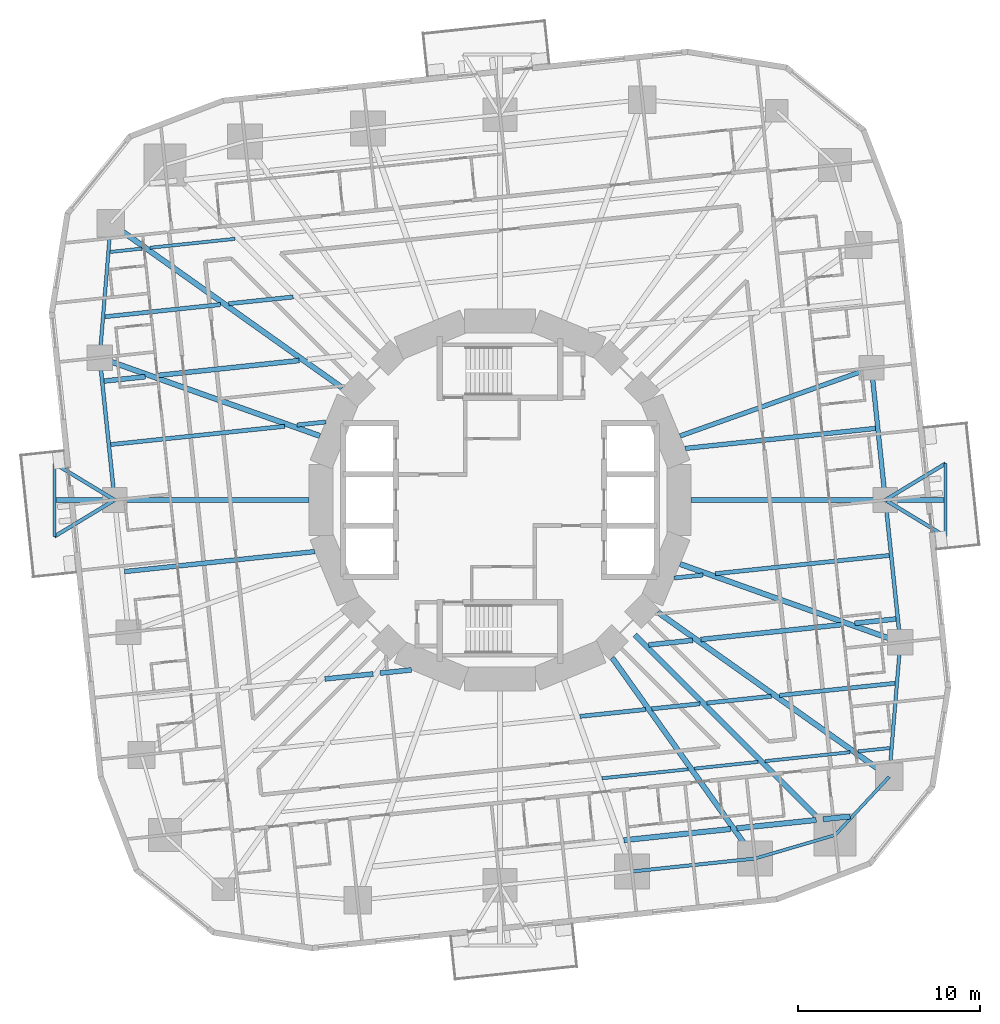
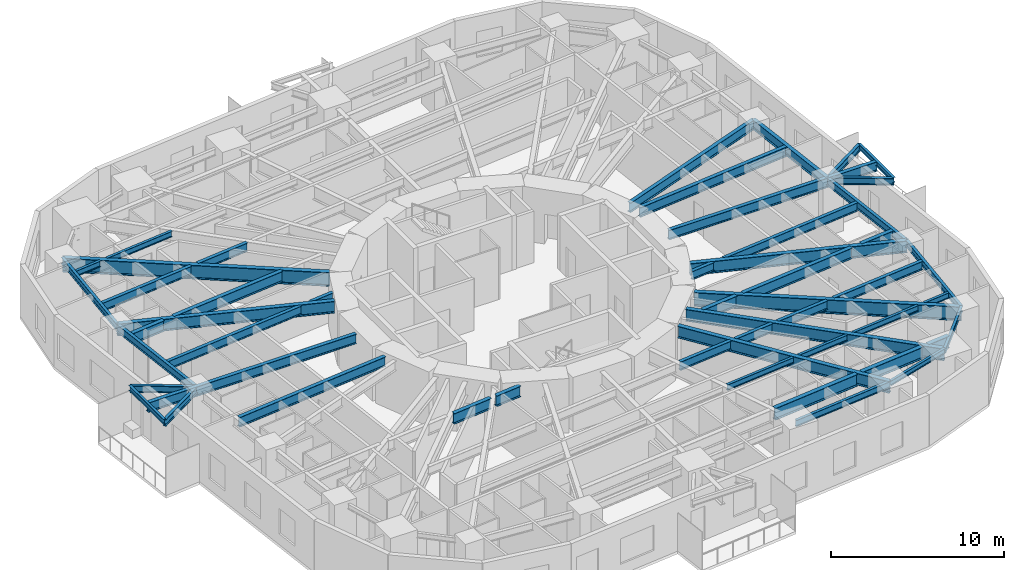
# One storey, part 2 of 14: 51 beams.
"""IFC4 building model written with IfcOpenShell, lengths in metres."""

from ifc_helpers import new_model, si_unit, direction, frame, origin, origin_2d, place, context, subcontext, project, spatial, i_section, extrude, material, material_profile, profile_set, type_object, element, save


model = new_model("IFC4")

# Units and contexts
model_context = context("Model", 3, precision=1e-05, world=origin(), true_north=direction((0.0, 1.0)))
body_context = subcontext(model_context, "Body", "Model", "MODEL_VIEW")
ifc_project = project(units=[si_unit("LENGTHUNIT", "METRE"), si_unit("AREAUNIT", "SQUARE_METRE"), si_unit("VOLUMEUNIT", "CUBIC_METRE"), si_unit("PLANEANGLEUNIT", "RADIAN"), si_unit("MASSUNIT", "GRAM", prefix="KILO")], contexts=[model_context])

# Site, building, storey
site_placement = place(None, origin())
site = spatial("IfcSite", under=ifc_project, at=site_placement, CompositionType="ELEMENT")
building_placement = place(site_placement, origin())
building = spatial("IfcBuilding", under=site, at=building_placement, Name="Nakasero Lantern House", CompositionType="ELEMENT")
storey_placement = place(building_placement, frame((0.0, 0.0, 87.449951171875)))
storey = spatial("IfcBuildingStorey", under=building, at=storey_placement, Name="L21", CompositionType="ELEMENT", Elevation=87.449951171875)

# Beams
ifc_material_1 = material(Name="Steel S355", Category="steel")
ifc_material_profile_1 = material_profile(ifc_material_1, i_section(OverallWidth=0.199462890625, OverallDepth=0.491943359375, WebThickness=0.01806640625, FlangeThickness=0.031982421875, FilletRadius=0.01025390625, at=origin_2d()), Name="UB 457x191x161")
ifc_profile_set_1 = profile_set([ifc_material_profile_1], Name="Steel S355")
beam_type_1 = type_object("IfcBeamType", Name="Balcony splay beam UB 457x191x161", PredefinedType="BEAM", material=ifc_profile_set_1)
for number, where, z_axis, x_axis, name in (
    (1, (21.11572265625, 0.0, 3.404052734375), (0.855201230787, 0.518296107317, 0.0), (-0.518296107317, 0.855201230787, 0.0), "Balcony splay beam L22 B2-C03A"),
    (2, (21.11572265625, 0.0, 3.404052734375), (0.855201230787, -0.518296107317, 0.0), (0.518296107317, 0.855201230787, 0.0), "Balcony splay beam L22 B2-C03B"),
    (3, (-21.11572265625, 0.0, 3.404052734375), (-0.855201230787, -0.518296107317, 0.0), (0.518296107317, -0.855201230787, 0.0), "Balcony splay beam L22 B2-C15A"),
    (4, (-21.11572265625, 0.0, 3.404052734375), (-0.855201230787, 0.518296107317, 0.0), (-0.518296107317, -0.855201230787, 0.0), "Balcony splay beam L22 B2-C15B"),
):
    element("IfcBeam", number, at=place(storey_placement, frame(where, z_axis=z_axis, x_axis=x_axis)), inside=storey, type_object=beam_type_1, Name=name, PredefinedType="BEAM", context=body_context, shape_type="SweptSolid", body=[
        extrude(i_section(OverallWidth=0.199462890625, OverallDepth=0.491943359375, WebThickness=0.01806640625, FlangeThickness=0.031982421875, FilletRadius=0.01025390625, at=origin_2d()), origin(), (0.0, 0.0, 1.0), 3.85888671875),
    ])
ifc_material_2 = material(Name="Steel S355", Category="steel")
ifc_material_profile_2 = material_profile(ifc_material_2, i_section(OverallWidth=0.17138671875, OverallDepth=0.35498046875, WebThickness=0.00732421875, FlangeThickness=0.011474609375, FilletRadius=0.01025390625, at=origin_2d()), Name="UB 356x171x51")
ifc_profile_set_2 = profile_set([ifc_material_profile_2], Name="Steel S355")
beam_type_2 = type_object("IfcBeamType", Name="Balcony tie beam UB 356x171x51", PredefinedType="BEAM", material=ifc_profile_set_2)
for number, where, z_axis, x_axis, name in (
    (5, (24.415771484375, 2.0, 3.47265625), (0.0, -1.0, 0.0), (1.0, 0.0, 0.0), "Balcony tie beam L22 B2-C03"),
    (6, (-24.415771484375, -2.0, 3.47265625), (0.0, 1.0, 0.0), (-1.0, 0.0, 0.0), "Balcony tie beam L22 B2-C15"),
):
    element("IfcBeam", number, at=place(storey_placement, frame(where, z_axis=z_axis, x_axis=x_axis)), inside=storey, type_object=beam_type_2, Name=name, PredefinedType="BEAM", context=body_context, shape_type="SweptSolid", body=[
        extrude(i_section(OverallWidth=0.17138671875, OverallDepth=0.35498046875, WebThickness=0.00732421875, FlangeThickness=0.011474609375, FilletRadius=0.01025390625, at=origin_2d()), origin(), (0.0, 0.0, 1.0), 4.0),
    ])
ifc_material_3 = material(Name="Steel S355", Category="steel")
ifc_material_profile_3 = material_profile(ifc_material_3, i_section(OverallWidth=0.177978515625, OverallDepth=0.406494140625, WebThickness=0.0078125, FlangeThickness=0.0126953125, FilletRadius=0.01025390625, at=origin_2d()), Name="UB 406x178x60")
ifc_profile_set_3 = profile_set([ifc_material_profile_3], Name="Steel S355")
beam_type_3 = type_object("IfcBeamType", Name="Infill beam UB 406x178x60", PredefinedType="JOIST", material=ifc_profile_set_3)
beam_1_placement = place(storey_placement, frame((5.58154296875, -15.25, 3.44677734375), z_axis=(0.994523439889, 0.104513767091, 0.0), x_axis=(-0.104513767091, 0.994523439889, 0.0)))
element("IfcBeam", 7, at=beam_1_placement, inside=storey, type_object=beam_type_3, Name="Infill beam L22 03.4", PredefinedType="JOIST", context=body_context, shape_type="SweptSolid", body=[
    extrude(i_section(OverallWidth=0.177978515625, OverallDepth=0.406494140625, WebThickness=0.0078125, FlangeThickness=0.0126953125, FilletRadius=0.01025390625, at=origin_2d()), origin(), (0.0, 0.0, 1.0), 4.756103515625),
])
beam_2_placement = place(storey_placement, frame((10.6455078125, -14.7177734375, 3.44677734375), z_axis=(0.994521415391, 0.104533029842, 0.0), x_axis=(-0.104533029842, 0.994521415391, 0.0)))
element("IfcBeam", 8, at=beam_2_placement, inside=storey, type_object=beam_type_3, Name="Infill beam L22 03.5", PredefinedType="JOIST", context=body_context, shape_type="SweptSolid", body=[
    extrude(i_section(OverallWidth=0.177978515625, OverallDepth=0.406494140625, WebThickness=0.0078125, FlangeThickness=0.0126953125, FilletRadius=0.01025390625, at=origin_2d()), origin(), (0.0, 0.0, 1.0), 3.517333984375),
])
beam_3_placement = place(storey_placement, frame((14.517578125, -14.310791015625, 3.44677734375), z_axis=(0.994522000641, 0.104527461662, 0.0), x_axis=(-0.104527461662, 0.994522000641, 0.0)))
element("IfcBeam", 9, at=beam_3_placement, inside=storey, type_object=beam_type_3, Name="Infill beam L22 03.6", PredefinedType="JOIST", context=body_context, shape_type="SweptSolid", body=[
    extrude(i_section(OverallWidth=0.177978515625, OverallDepth=0.406494140625, WebThickness=0.0078125, FlangeThickness=0.0126953125, FilletRadius=0.01025390625, at=origin_2d()), origin(), (0.0, 0.0, 1.0), 4.685302734375),
])
for number, where, z_axis, x_axis, name in (
    (10, (19.628173828125, -13.773681640625, 3.44677734375), (0.994526919783, 0.1044806481, 0.0), (-0.1044806481, 0.994526919783, 0.0), "Infill beam L22 03.7"),
    (11, (-21.36181640625, 13.591552734375, 3.44677734375), (0.994526919783, 0.1044806481, 0.0), (-0.1044806481, 0.994526919783, 0.0), "Infill beam L22 12.1"),
):
    element("IfcBeam", number, at=place(storey_placement, frame(where, z_axis=z_axis, x_axis=x_axis)), inside=storey, type_object=beam_type_3, Name=name, PredefinedType="JOIST", context=body_context, shape_type="SweptSolid", body=[
        extrude(i_section(OverallWidth=0.177978515625, OverallDepth=0.406494140625, WebThickness=0.0078125, FlangeThickness=0.0126953125, FilletRadius=0.01025390625, at=origin_2d()), origin(), (0.0, 0.0, 1.0), 1.7431640625),
    ])
beam_4_placement = place(storey_placement, frame((-19.17724609375, 13.821044921875, 3.44677734375), z_axis=(0.994522000641, 0.104527461662, 0.0), x_axis=(-0.104527461662, 0.994522000641, 0.0)))
element("IfcBeam", 12, at=beam_4_placement, inside=storey, type_object=beam_type_3, Name="Infill beam L22 12.2", PredefinedType="JOIST", context=body_context, shape_type="SweptSolid", body=[
    extrude(i_section(OverallWidth=0.177978515625, OverallDepth=0.406494140625, WebThickness=0.0078125, FlangeThickness=0.0126953125, FilletRadius=0.01025390625, at=origin_2d()), origin(), (0.0, 0.0, 1.0), 4.685302734375),
])
ifc_material_4 = material(Name="Steel S355", Category="steel")
ifc_material_profile_4 = material_profile(ifc_material_4, i_section(OverallWidth=0.2275390625, OverallDepth=0.6025390625, WebThickness=0.010498046875, FlangeThickness=0.014892578125, FilletRadius=0.0126953125, at=origin_2d()), Name="UB 610x229x101")
ifc_profile_set_4 = profile_set([ifc_material_profile_4], Name="Steel S355")
beam_type_4 = type_object("IfcBeamType", Name="Infill beam UB 610x229x101", PredefinedType="JOIST", material=ifc_profile_set_4)
beam_5_placement = place(storey_placement, frame((9.548583984375, -4.275390625, 3.3486328125), z_axis=(0.99451559139, 0.104588424223, 0.0), x_axis=(-0.104588424223, 0.99451559139, 0.0)))
element("IfcBeam", 13, at=beam_5_placement, inside=storey, type_object=beam_type_4, Name="Infill beam L22 06.1", PredefinedType="JOIST", context=body_context, shape_type="SweptSolid", body=[
    extrude(i_section(OverallWidth=0.2275390625, OverallDepth=0.6025390625, WebThickness=0.010498046875, FlangeThickness=0.014892578125, FilletRadius=0.0126953125, at=origin_2d()), origin(), (0.0, 0.0, 1.0), 1.582763671875),
])
for number, where, z_axis, x_axis, name in (
    (14, (11.79638671875, -4.0390625, 3.3486328125), (0.994521908804, 0.104528335435, 0.0), (-0.104528335435, 0.994521908804, 0.0), "Infill beam L22 06.2"),
    (15, (-21.329345703125, 3.037109375, 3.3486328125), (0.994521908804, 0.104528335435, 0.0), (-0.104528335435, 0.994521908804, 0.0), "Infill beam L22 09.1"),
):
    element("IfcBeam", number, at=place(storey_placement, frame(where, z_axis=z_axis, x_axis=x_axis)), inside=storey, type_object=beam_type_4, Name=name, PredefinedType="JOIST", context=body_context, shape_type="SweptSolid", body=[
        extrude(i_section(OverallWidth=0.2275390625, OverallDepth=0.6025390625, WebThickness=0.010498046875, FlangeThickness=0.014892578125, FilletRadius=0.0126953125, at=origin_2d()), origin(), (0.0, 0.0, 1.0), 9.58544921875),
    ])
beam_6_placement = place(storey_placement, frame((-11.12255859375, 4.10986328125, 3.3486328125), z_axis=(0.99451559139, 0.104588424223, 0.0), x_axis=(-0.104588424223, 0.99451559139, 0.0)))
element("IfcBeam", 16, at=beam_6_placement, inside=storey, type_object=beam_type_4, Name="Infill beam L22 09.2", PredefinedType="JOIST", context=body_context, shape_type="SweptSolid", body=[
    extrude(i_section(OverallWidth=0.2275390625, OverallDepth=0.6025390625, WebThickness=0.010498046875, FlangeThickness=0.014892578125, FilletRadius=0.0126953125, at=origin_2d()), origin(), (0.0, 0.0, 1.0), 1.582763671875),
])
ifc_material_5 = material(Name="Steel S355", Category="steel")
ifc_material_profile_5 = material_profile(ifc_material_5, i_section(OverallWidth=0.22900390625, OverallDepth=0.6123046875, WebThickness=0.011962890625, FlangeThickness=0.01953125, FilletRadius=0.0126953125, at=origin_2d()), Name="UB 610x229x125")
ifc_profile_set_5 = profile_set([ifc_material_profile_5], Name="Steel S355")
beam_type_5 = type_object("IfcBeamType", Name="Infill beam UB 610x229x125", PredefinedType="JOIST", material=ifc_profile_set_5)
beam_7_placement = place(storey_placement, frame((4.375244140625, -11.857666015625, 3.343994140625), z_axis=(0.994523507044, 0.104513128058, 0.0), x_axis=(-0.104513128058, 0.994523507044, 0.0)))
element("IfcBeam", 17, at=beam_7_placement, inside=storey, type_object=beam_type_5, Name="Infill beam L22 04.5", PredefinedType="JOIST", context=body_context, shape_type="SweptSolid", body=[
    extrude(i_section(OverallWidth=0.22900390625, OverallDepth=0.6123046875, WebThickness=0.011962890625, FlangeThickness=0.01953125, FilletRadius=0.0126953125, at=origin_2d()), origin(), (0.0, 0.0, 1.0), 3.627685546875),
])
beam_8_placement = place(storey_placement, frame((8.31689453125, -11.443359375, 3.343994140625), z_axis=(0.994526079282, 0.104488648322, 0.0), x_axis=(-0.104488648322, 0.994526079282, 0.0)))
element("IfcBeam", 18, at=beam_8_placement, inside=storey, type_object=beam_type_5, Name="Infill beam L22 04.6", PredefinedType="JOIST", context=body_context, shape_type="SweptSolid", body=[
    extrude(i_section(OverallWidth=0.22900390625, OverallDepth=0.6123046875, WebThickness=0.011962890625, FlangeThickness=0.01953125, FilletRadius=0.0126953125, at=origin_2d()), origin(), (0.0, 0.0, 1.0), 2.65673828125),
])
beam_9_placement = place(storey_placement, frame((11.3330078125, -11.126220703125, 3.343994140625), z_axis=(0.99452727583, 0.104477258916, 0.0), x_axis=(-0.104477258916, 0.99452727583, 0.0)))
element("IfcBeam", 19, at=beam_9_placement, inside=storey, type_object=beam_type_5, Name="Infill beam L22 04.7", PredefinedType="JOIST", context=body_context, shape_type="SweptSolid", body=[
    extrude(i_section(OverallWidth=0.22900390625, OverallDepth=0.6123046875, WebThickness=0.011962890625, FlangeThickness=0.01953125, FilletRadius=0.0126953125, at=origin_2d()), origin(), (0.0, 0.0, 1.0), 3.552001953125),
])
for number, where, z_axis, x_axis, name in (
    (20, (15.31640625, -10.707763671875, 3.343994140625), (0.994520346325, 0.104543200382, 0.0), (-0.104543200382, 0.994520346325, 0.0), "Infill beam L22 04.8"),
    (21, (-21.654541015625, 10.04150390625, 3.343994140625), (0.994520346325, 0.104543200382, 0.0), (-0.104543200382, 0.994520346325, 0.0), "Infill beam L22 11.1"),
):
    element("IfcBeam", number, at=place(storey_placement, frame(where, z_axis=z_axis, x_axis=x_axis)), inside=storey, type_object=beam_type_5, Name=name, PredefinedType="JOIST", context=body_context, shape_type="SweptSolid", body=[
        extrude(i_section(OverallWidth=0.22900390625, OverallDepth=0.6123046875, WebThickness=0.011962890625, FlangeThickness=0.01953125, FilletRadius=0.0126953125, at=origin_2d()), origin(), (0.0, 0.0, 1.0), 6.373046875),
    ])
beam_10_placement = place(storey_placement, frame((-14.865478515625, 10.755126953125, 3.343994140625), z_axis=(0.99452727583, 0.104477258916, 0.0), x_axis=(-0.104477258916, 0.99452727583, 0.0)))
element("IfcBeam", 22, at=beam_10_placement, inside=storey, type_object=beam_type_5, Name="Infill beam L22 11.2", PredefinedType="JOIST", context=body_context, shape_type="SweptSolid", body=[
    extrude(i_section(OverallWidth=0.22900390625, OverallDepth=0.6123046875, WebThickness=0.011962890625, FlangeThickness=0.01953125, FilletRadius=0.0126953125, at=origin_2d()), origin(), (0.0, 0.0, 1.0), 3.552001953125),
])
ifc_material_6 = material(Name="Steel S355", Category="steel")
ifc_material_profile_6 = material_profile(ifc_material_6, i_section(OverallWidth=0.255859375, OverallDepth=0.69287109375, WebThickness=0.014404296875, FlangeThickness=0.023681640625, FilletRadius=0.01513671875, at=origin_2d()), Name="UB 686x254x170")
ifc_profile_set_6 = profile_set([ifc_material_profile_6], Name="Steel S355")
beam_type_6 = type_object("IfcBeamType", Name="Infill beam UB 686x254x170", PredefinedType="JOIST", material=ifc_profile_set_6)
for number, where, z_axis, x_axis, name in (
    (23, (-20.575927734375, -3.92236328125, 3.3037109375), (0.994521899939, 0.104528419781, 0.0), (-0.104528419781, 0.994521899939, 0.0), "Infill beam L22 07.1"),
    (24, (10.148681640625, 2.826416015625, 3.3037109375), (0.994521899939, 0.104528419781, 0.0), (-0.104528419781, 0.994521899939, 0.0), "Infill beam L22 08.1"),
):
    element("IfcBeam", number, at=place(storey_placement, frame(where, z_axis=z_axis, x_axis=x_axis)), inside=storey, type_object=beam_type_6, Name=name, PredefinedType="JOIST", context=body_context, shape_type="SweptSolid", body=[
        extrude(i_section(OverallWidth=0.255859375, OverallDepth=0.69287109375, WebThickness=0.014404296875, FlangeThickness=0.023681640625, FilletRadius=0.01513671875, at=origin_2d()), origin(), (0.0, 0.0, 1.0), 10.484619140625),
    ])
ifc_material_7 = material(Name="Steel S355", Category="steel")
ifc_material_profile_7 = material_profile(ifc_material_7, i_section(OverallWidth=0.2666015625, OverallDepth=0.76220703125, WebThickness=0.014404296875, FlangeThickness=0.021484375, FilletRadius=0.0166015625, at=origin_2d()), Name="UB 762x267x173")
ifc_profile_set_7 = profile_set([ifc_material_profile_7], Name="Steel S355")
beam_type_7 = type_object("IfcBeamType", Name="Infill beam UB 762x267x173", PredefinedType="JOIST", material=ifc_profile_set_7)
beam_11_placement = place(storey_placement, frame((-9.594482421875, -9.806640625, 3.26904296875), z_axis=(0.994521575627, 0.104531505358, 0.0), x_axis=(-0.104531505358, 0.994521575627, 0.0)))
element("IfcBeam", 25, at=beam_11_placement, inside=storey, type_object=beam_type_7, Name="Infill beam L22 05.3", PredefinedType="JOIST", context=body_context, shape_type="SweptSolid", body=[
    extrude(i_section(OverallWidth=0.2666015625, OverallDepth=0.76220703125, WebThickness=0.014404296875, FlangeThickness=0.021484375, FilletRadius=0.0166015625, at=origin_2d()), origin(), (0.0, 0.0, 1.0), 2.6533203125),
])
beam_12_placement = place(storey_placement, frame((-6.568115234375, -9.488525390625, 3.26904296875), z_axis=(0.994529501552, 0.104456069922, 0.0), x_axis=(-0.104456069922, 0.994529501552, 0.0)))
element("IfcBeam", 26, at=beam_12_placement, inside=storey, type_object=beam_type_7, Name="Infill beam L22 05.4", PredefinedType="JOIST", context=body_context, shape_type="SweptSolid", body=[
    extrude(i_section(OverallWidth=0.2666015625, OverallDepth=0.76220703125, WebThickness=0.014404296875, FlangeThickness=0.021484375, FilletRadius=0.0166015625, at=origin_2d()), origin(), (0.0, 0.0, 1.0), 1.72265625),
])
beam_13_placement = place(storey_placement, frame((8.1484375, -7.941650390625, 3.26904296875), z_axis=(0.99452700398, 0.104479846642, 0.0), x_axis=(-0.104479846642, 0.99452700398, 0.0)))
element("IfcBeam", 27, at=beam_13_placement, inside=storey, type_object=beam_type_7, Name="Infill beam L22 05.5", PredefinedType="JOIST", context=body_context, shape_type="SweptSolid", body=[
    extrude(i_section(OverallWidth=0.2666015625, OverallDepth=0.76220703125, WebThickness=0.014404296875, FlangeThickness=0.021484375, FilletRadius=0.0166015625, at=origin_2d()), origin(), (0.0, 0.0, 1.0), 2.41845703125),
])
beam_14_placement = place(storey_placement, frame((11.0048828125, -7.6416015625, 3.26904296875), z_axis=(0.994520535103, 0.104541404521, 0.0), x_axis=(-0.104541404521, 0.994520535103, 0.0)))
element("IfcBeam", 28, at=beam_14_placement, inside=storey, type_object=beam_type_7, Name="Infill beam L22 05.6", PredefinedType="JOIST", context=body_context, shape_type="SweptSolid", body=[
    extrude(i_section(OverallWidth=0.2666015625, OverallDepth=0.76220703125, WebThickness=0.014404296875, FlangeThickness=0.021484375, FilletRadius=0.0166015625, at=origin_2d()), origin(), (0.0, 0.0, 1.0), 7.800048828125),
])
for number, where, z_axis, x_axis, name in (
    (29, (19.43603515625, -6.75537109375, 3.26904296875), (0.994516636986, 0.104578481334, 0.0), (-0.104578481334, 0.994516636986, 0.0), "Infill beam L22 05.7"),
    (30, (-21.695068359375, 6.517822265625, 3.26904296875), (0.994516636986, 0.104578481334, 0.0), (-0.104578481334, 0.994516636986, 0.0), "Infill beam L22 10.1"),
):
    element("IfcBeam", number, at=place(storey_placement, frame(where, z_axis=z_axis, x_axis=x_axis)), inside=storey, type_object=beam_type_7, Name=name, PredefinedType="JOIST", context=body_context, shape_type="SweptSolid", body=[
        extrude(i_section(OverallWidth=0.2666015625, OverallDepth=0.76220703125, WebThickness=0.014404296875, FlangeThickness=0.021484375, FilletRadius=0.0166015625, at=origin_2d()), origin(), (0.0, 0.0, 1.0), 2.271484375),
    ])
beam_15_placement = place(storey_placement, frame((-18.76220703125, 6.826171875, 3.26904296875), z_axis=(0.994520535103, 0.104541404521, 0.0), x_axis=(-0.104541404521, 0.994520535103, 0.0)))
element("IfcBeam", 31, at=beam_15_placement, inside=storey, type_object=beam_type_7, Name="Infill beam L22 10.2", PredefinedType="JOIST", context=body_context, shape_type="SweptSolid", body=[
    extrude(i_section(OverallWidth=0.2666015625, OverallDepth=0.76220703125, WebThickness=0.014404296875, FlangeThickness=0.021484375, FilletRadius=0.0166015625, at=origin_2d()), origin(), (0.0, 0.0, 1.0), 7.800048828125),
])
ifc_material_8 = material(Name="Steel S355", Category="steel")
ifc_material_profile_8 = material_profile(ifc_material_8, i_section(OverallWidth=0.29248046875, OverallDepth=0.8408203125, WebThickness=0.0146484375, FlangeThickness=0.02685546875, FilletRadius=0.017822265625, at=origin_2d()), Name="UB 838x292x194")
ifc_profile_set_8 = profile_set([ifc_material_profile_8], Name="Steel S355")
beam_type_8 = type_object("IfcBeamType", Name="Infill beam UB 838x292x194", PredefinedType="JOIST", material=ifc_profile_set_8)
beam_16_placement = place(storey_placement, frame((6.78759765625, -18.642578125, 3.229736328125), z_axis=(0.994524304789, 0.104505536616, 0.0), x_axis=(-0.104505536616, 0.994524304789, 0.0)))
element("IfcBeam", 32, at=beam_16_placement, inside=storey, type_object=beam_type_8, Name="Infill beam L22 02.3", PredefinedType="JOIST", context=body_context, shape_type="SweptSolid", body=[
    extrude(i_section(OverallWidth=0.29248046875, OverallDepth=0.8408203125, WebThickness=0.0146484375, FlangeThickness=0.02685546875, FilletRadius=0.017822265625, at=origin_2d()), origin(), (0.0, 0.0, 1.0), 5.884765625),
])
beam_17_placement = place(storey_placement, frame((12.97412109375, -17.992431640625, 3.229736328125), z_axis=(0.994518584312, 0.104559961062, 0.0), x_axis=(-0.104559961062, 0.994518584312, 0.0)))
element("IfcBeam", 33, at=beam_17_placement, inside=storey, type_object=beam_type_8, Name="Infill beam L22 02.4", PredefinedType="JOIST", context=body_context, shape_type="SweptSolid", body=[
    extrude(i_section(OverallWidth=0.29248046875, OverallDepth=0.8408203125, WebThickness=0.0146484375, FlangeThickness=0.02685546875, FilletRadius=0.017822265625, at=origin_2d()), origin(), (0.0, 0.0, 1.0), 4.3779296875),
])
beam_18_placement = place(storey_placement, frame((17.7021484375, -17.495361328125, 3.229736328125), z_axis=(0.994535800288, 0.104396082038, 0.0), x_axis=(-0.104396082038, 0.994535800288, 0.0)))
element("IfcBeam", 34, at=beam_18_placement, inside=storey, type_object=beam_type_8, Name="Infill beam L22 02.5", PredefinedType="JOIST", context=body_context, shape_type="SweptSolid", body=[
    extrude(i_section(OverallWidth=0.29248046875, OverallDepth=0.8408203125, WebThickness=0.0146484375, FlangeThickness=0.02685546875, FilletRadius=0.017822265625, at=origin_2d()), origin(), (0.0, 0.0, 1.0), 1.49658203125),
])
ifc_material_9 = material(Name="Steel S355", Category="steel")
ifc_material_profile_9 = material_profile(ifc_material_9, i_section(OverallWidth=0.300048828125, OverallDepth=0.989990234375, WebThickness=0.0166015625, FlangeThickness=0.031005859375, FilletRadius=0.030029296875, at=origin_2d()), Name="UB 1016x305x272")
ifc_profile_set_9 = profile_set([ifc_material_profile_9], Name="Steel S355")
beam_type_9 = type_object("IfcBeamType", Name="Primary beam UB 1016x305x272, span over 15 m", PredefinedType="BEAM", material=ifc_profile_set_9)
for number, where, z_axis, x_axis, name in (
    (35, (21.327880859375, -15.16650390625, 3.155029296875), (-0.814951538239, 0.57952911085, 0.0), (-0.57952911085, -0.814951538239, 0.0), "Primary beam L22 B2-C01"),
    (36, (-21.327880859375, 15.16650390625, 3.155029296875), (0.814951538239, -0.57952911085, 0.0), (0.57952911085, 0.814951538239, 0.0), "Primary beam L22 B2-C13"),
):
    element("IfcBeam", number, at=place(storey_placement, frame(where, z_axis=z_axis, x_axis=x_axis)), inside=storey, type_object=beam_type_9, Name=name, PredefinedType="BEAM", context=body_context, shape_type="SweptSolid", body=[
        extrude(i_section(OverallWidth=0.300048828125, OverallDepth=0.989990234375, WebThickness=0.0166015625, FlangeThickness=0.031005859375, FilletRadius=0.030029296875, at=origin_2d()), origin(), (0.0, 0.0, 1.0), 15.564697265625),
    ])
ifc_material_10 = material(Name="Steel S355", Category="steel")
ifc_material_profile_10 = material_profile(ifc_material_10, i_section(OverallWidth=0.253662109375, OverallDepth=0.68359375, WebThickness=0.012451171875, FlangeThickness=0.01904296875, FilletRadius=0.01513671875, at=origin_2d()), Name="UB 686x254x140")
ifc_profile_set_10 = profile_set([ifc_material_profile_10], Name="Steel S355")
beam_type_10 = type_object("IfcBeamType", Name="Primary beam UB 686x254x140, span 9 to 12 m", PredefinedType="BEAM", material=ifc_profile_set_10)
beam_19_placement = place(storey_placement, frame((24.415771484375, 0.0, 3.308349609375), z_axis=(-1.0, 0.0, 0.0), x_axis=(0.0, -1.0, 0.0)))
element("IfcBeam", 37, at=beam_19_placement, inside=storey, type_object=beam_type_10, Name="Primary beam L22 B2-C03", PredefinedType="BEAM", context=body_context, shape_type="SweptSolid", body=[
    extrude(i_section(OverallWidth=0.253662109375, OverallDepth=0.68359375, WebThickness=0.012451171875, FlangeThickness=0.01904296875, FilletRadius=0.01513671875, at=origin_2d()), origin(), (0.0, 0.0, 1.0), 13.9580078125),
])
beam_20_placement = place(storey_placement, frame((20.35498046875, 7.2373046875, 3.308349609375), z_axis=(-0.942214844119, -0.335009234979, 0.0), x_axis=(0.335009234979, -0.942214844119, 0.0)))
element("IfcBeam", 38, at=beam_20_placement, inside=storey, type_object=beam_type_10, Name="Primary beam L22 B2-C04", PredefinedType="BEAM", context=body_context, shape_type="SweptSolid", body=[
    extrude(i_section(OverallWidth=0.253662109375, OverallDepth=0.68359375, WebThickness=0.012451171875, FlangeThickness=0.01904296875, FilletRadius=0.01513671875, at=origin_2d()), origin(), (0.0, 0.0, 1.0), 11.1318359375),
])
beam_21_placement = place(storey_placement, frame((-24.415771484375, 0.0, 3.308349609375), z_axis=(1.0, 0.0, 0.0), x_axis=(0.0, 1.0, 0.0)))
element("IfcBeam", 39, at=beam_21_placement, inside=storey, type_object=beam_type_10, Name="Primary beam L22 B2-C15", PredefinedType="BEAM", context=body_context, shape_type="SweptSolid", body=[
    extrude(i_section(OverallWidth=0.253662109375, OverallDepth=0.68359375, WebThickness=0.012451171875, FlangeThickness=0.01904296875, FilletRadius=0.01513671875, at=origin_2d()), origin(), (0.0, 0.0, 1.0), 13.9580078125),
])
ifc_material_11 = material(Name="Steel S355", Category="steel")
ifc_material_profile_11 = material_profile(ifc_material_11, i_section(OverallWidth=0.29248046875, OverallDepth=0.8408203125, WebThickness=0.0146484375, FlangeThickness=0.02685546875, FilletRadius=0.017822265625, at=origin_2d()), Name="UB 838x292x194")
ifc_profile_set_11 = profile_set([ifc_material_profile_11], Name="Steel S355")
beam_type_11 = type_object("IfcBeamType", Name="Primary beam UB 838x292x194, span 12 to 15 m", PredefinedType="BEAM", material=ifc_profile_set_11)
for number, where, z_axis, x_axis, name in (
    (40, (21.935302734375, -7.79931640625, 3.229736328125), (-0.942211882636, 0.335017564047, 0.0), (-0.335017564047, -0.942211882636, 0.0), "Primary beam L22 B2-C02"),
    (41, (-21.935302734375, 7.79931640625, 3.229736328125), (0.942211882636, -0.335017564047, 0.0), (0.335017564047, 0.942211882636, 0.0), "Primary beam L22 B2-C14"),
):
    element("IfcBeam", number, at=place(storey_placement, frame(where, z_axis=z_axis, x_axis=x_axis)), inside=storey, type_object=beam_type_11, Name=name, PredefinedType="BEAM", context=body_context, shape_type="SweptSolid", body=[
        extrude(i_section(OverallWidth=0.29248046875, OverallDepth=0.8408203125, WebThickness=0.0146484375, FlangeThickness=0.02685546875, FilletRadius=0.017822265625, at=origin_2d()), origin(), (0.0, 0.0, 1.0), 12.80908203125),
    ])
beam_22_placement = place(storey_placement, frame((13.971435546875, -19.647216796875, 3.229736328125), z_axis=(-0.579533393168, 0.814948492976, 0.0), x_axis=(-0.814948492976, -0.579533393168, 0.0)))
element("IfcBeam", 42, at=beam_22_placement, inside=storey, type_object=beam_type_11, Name="Primary beam L22 B2-C23", PredefinedType="BEAM", context=body_context, shape_type="SweptSolid", body=[
    extrude(i_section(OverallWidth=0.29248046875, OverallDepth=0.8408203125, WebThickness=0.0146484375, FlangeThickness=0.02685546875, FilletRadius=0.017822265625, at=origin_2d()), origin(), (0.0, 0.0, 1.0), 13.502685546875),
])
ifc_material_12 = material(Name="Steel S355", Category="steel")
ifc_material_profile_12 = material_profile(ifc_material_12, i_section(OverallWidth=0.29248046875, OverallDepth=0.8408203125, WebThickness=0.0146484375, FlangeThickness=0.02685546875, FilletRadius=0.017822265625, at=origin_2d()), Name="UB 838x292x194")
ifc_profile_set_12 = profile_set([ifc_material_profile_12], Name="Steel S355")
beam_type_12 = type_object("IfcBeamType", Name="Primary beam UB 838x292x194, span over 15 m", PredefinedType="BEAM", material=ifc_profile_set_12)
beam_23_placement = place(storey_placement, frame((18.359375, -18.359375, 3.229736328125), z_axis=(-0.707106781187, 0.707106781187, 0.0), x_axis=(-0.707106781187, -0.707106781187, 0.0)))
element("IfcBeam", 43, at=beam_23_placement, inside=storey, type_object=beam_type_12, Name="Primary beam L22 B2-C24", PredefinedType="BEAM", context=body_context, shape_type="SweptSolid", body=[
    extrude(i_section(OverallWidth=0.29248046875, OverallDepth=0.8408203125, WebThickness=0.0146484375, FlangeThickness=0.02685546875, FilletRadius=0.017822265625, at=origin_2d()), origin(), (0.0, 0.0, 1.0), 15.50634765625),
])
ifc_material_13 = material(Name="Steel S355", Category="steel")
ifc_material_profile_13 = material_profile(ifc_material_13, i_section(OverallWidth=0.17138671875, OverallDepth=0.35498046875, WebThickness=0.00732421875, FlangeThickness=0.011474609375, FilletRadius=0.01025390625, at=origin_2d()), Name="UB 356x171x51")
ifc_profile_set_13 = profile_set([ifc_material_profile_13], Name="Steel S355")
beam_type_13 = type_object("IfcBeamType", Name="Ring beam UB 356x171x51", PredefinedType="BEAM", material=ifc_profile_set_13)
beam_24_placement = place(storey_placement, frame((13.971435546875, -19.647216796875, 3.47265625), z_axis=(0.959526865957, 0.28161710443, 0.0), x_axis=(-0.28161710443, 0.959526865957, 0.0)))
element("IfcBeam", 44, at=beam_24_placement, inside=storey, type_object=beam_type_13, Name="Ring beam L22 B2-C23", PredefinedType="BEAM", context=body_context, shape_type="SweptSolid", body=[
    extrude(i_section(OverallWidth=0.17138671875, OverallDepth=0.35498046875, WebThickness=0.00732421875, FlangeThickness=0.011474609375, FilletRadius=0.01025390625, at=origin_2d()), origin(), (0.0, 0.0, 1.0), 4.572998046875),
])
beam_25_placement = place(storey_placement, frame((18.359375, -18.359375, 3.47265625), z_axis=(0.680906333933, 0.732370510336, 0.0), x_axis=(-0.732370510336, 0.680906333933, 0.0)))
element("IfcBeam", 45, at=beam_25_placement, inside=storey, type_object=beam_type_13, Name="Ring beam L22 B2-C24", PredefinedType="BEAM", context=body_context, shape_type="SweptSolid", body=[
    extrude(i_section(OverallWidth=0.17138671875, OverallDepth=0.35498046875, WebThickness=0.00732421875, FlangeThickness=0.011474609375, FilletRadius=0.01025390625, at=origin_2d()), origin(), (0.0, 0.0, 1.0), 4.359619140625),
])
ifc_material_14 = material(Name="Steel S355", Category="steel")
ifc_material_profile_14 = material_profile(ifc_material_14, i_section(OverallWidth=0.18994140625, OverallDepth=0.453369140625, WebThickness=0.008544921875, FlangeThickness=0.0126953125, FilletRadius=0.01025390625, at=origin_2d()), Name="UB 457x191x67")
ifc_profile_set_14 = profile_set([ifc_material_profile_14], Name="Steel S355")
beam_type_14 = type_object("IfcBeamType", Name="Ring beam UB 457x191x67", PredefinedType="BEAM", material=ifc_profile_set_14)
beam_26_placement = place(storey_placement, frame((7.2373046875, -20.35498046875, 3.42333984375), z_axis=(0.994522233155, 0.10452524939, 0.0), x_axis=(-0.10452524939, 0.994522233155, 0.0)))
element("IfcBeam", 46, at=beam_26_placement, inside=storey, type_object=beam_type_14, Name="Ring beam L22 B2-C22", PredefinedType="BEAM", context=body_context, shape_type="SweptSolid", body=[
    extrude(i_section(OverallWidth=0.18994140625, OverallDepth=0.453369140625, WebThickness=0.008544921875, FlangeThickness=0.0126953125, FilletRadius=0.01025390625, at=origin_2d()), origin(), (0.0, 0.0, 1.0), 6.771240234375),
])
ifc_material_15 = material(Name="Steel S355", Category="steel")
ifc_material_profile_15 = material_profile(ifc_material_15, i_section(OverallWidth=0.19140625, OverallDepth=0.4599609375, WebThickness=0.010009765625, FlangeThickness=0.01611328125, FilletRadius=0.01025390625, at=origin_2d()), Name="UB 457x191x82")
ifc_profile_set_15 = profile_set([ifc_material_profile_15], Name="Steel S355")
beam_type_15 = type_object("IfcBeamType", Name="Ring beam UB 457x191x82", PredefinedType="BEAM", material=ifc_profile_set_15)
for number, where, z_axis, x_axis, name in (
    (47, (21.327880859375, -15.16650390625, 3.420166015625), (0.08217080574, 0.996618261264, 0.0), (-0.996618261264, 0.08217080574, 0.0), "Ring beam L22 B2-C01"),
    (48, (-21.327880859375, 15.16650390625, 3.420166015625), (-0.08217080574, -0.996618261264, 0.0), (0.996618261264, -0.08217080574, 0.0), "Ring beam L22 B2-C13"),
):
    element("IfcBeam", number, at=place(storey_placement, frame(where, z_axis=z_axis, x_axis=x_axis)), inside=storey, type_object=beam_type_15, Name=name, PredefinedType="BEAM", context=body_context, shape_type="SweptSolid", body=[
        extrude(i_section(OverallWidth=0.19140625, OverallDepth=0.4599609375, WebThickness=0.010009765625, FlangeThickness=0.01611328125, FilletRadius=0.01025390625, at=origin_2d()), origin(), (0.0, 0.0, 1.0), 7.39208984375),
    ])
ifc_material_16 = material(Name="Steel S355", Category="steel")
ifc_material_profile_16 = material_profile(ifc_material_16, i_section(OverallWidth=0.2099609375, OverallDepth=0.53662109375, WebThickness=0.0107421875, FlangeThickness=0.017333984375, FilletRadius=0.0126953125, at=origin_2d()), Name="UB 533x210x101")
ifc_profile_set_16 = profile_set([ifc_material_profile_16], Name="Steel S355")
beam_type_16 = type_object("IfcBeamType", Name="Ring beam UB 533x210x101", PredefinedType="BEAM", material=ifc_profile_set_16)
for number, where, z_axis, x_axis, name in (
    (49, (21.935302734375, -7.79931640625, 3.381591796875), (-0.104508144098, 0.994524030789, 0.0), (-0.994524030789, -0.104508144098, 0.0), "Ring beam L22 B2-C02"),
    (50, (-21.935302734375, 7.79931640625, 3.381591796875), (0.104508144098, -0.994524030789, 0.0), (0.994524030789, 0.104508144098, 0.0), "Ring beam L22 B2-C14"),
):
    element("IfcBeam", number, at=place(storey_placement, frame(where, z_axis=z_axis, x_axis=x_axis)), inside=storey, type_object=beam_type_16, Name=name, PredefinedType="BEAM", context=body_context, shape_type="SweptSolid", body=[
        extrude(i_section(OverallWidth=0.2099609375, OverallDepth=0.53662109375, WebThickness=0.0107421875, FlangeThickness=0.017333984375, FilletRadius=0.0126953125, at=origin_2d()), origin(), (0.0, 0.0, 1.0), 7.84228515625),
    ])
ifc_material_17 = material(Name="Steel S355", Category="steel")
ifc_material_profile_17 = material_profile(ifc_material_17, i_section(OverallWidth=0.253662109375, OverallDepth=0.68359375, WebThickness=0.012451171875, FlangeThickness=0.01904296875, FilletRadius=0.01513671875, at=origin_2d()), Name="UB 686x254x140")
ifc_profile_set_17 = profile_set([ifc_material_profile_17], Name="Steel S355")
beam_type_17 = type_object("IfcBeamType", Name="Ring beam UB 686x254x140", PredefinedType="BEAM", material=ifc_profile_set_17)
beam_27_placement = place(storey_placement, frame((21.11572265625, 0.0, 3.308349609375), z_axis=(-0.104538087767, 0.994520883746, 0.0), x_axis=(-0.994520883746, -0.104538087767, 0.0)))
element("IfcBeam", 51, at=beam_27_placement, inside=storey, type_object=beam_type_17, Name="Ring beam L22 B2-C03", PredefinedType="BEAM", context=body_context, shape_type="SweptSolid", body=[
    extrude(i_section(OverallWidth=0.253662109375, OverallDepth=0.68359375, WebThickness=0.012451171875, FlangeThickness=0.01904296875, FilletRadius=0.01513671875, at=origin_2d()), origin(), (0.0, 0.0, 1.0), 7.277099609375),
])

save(model, "model.ifc")
